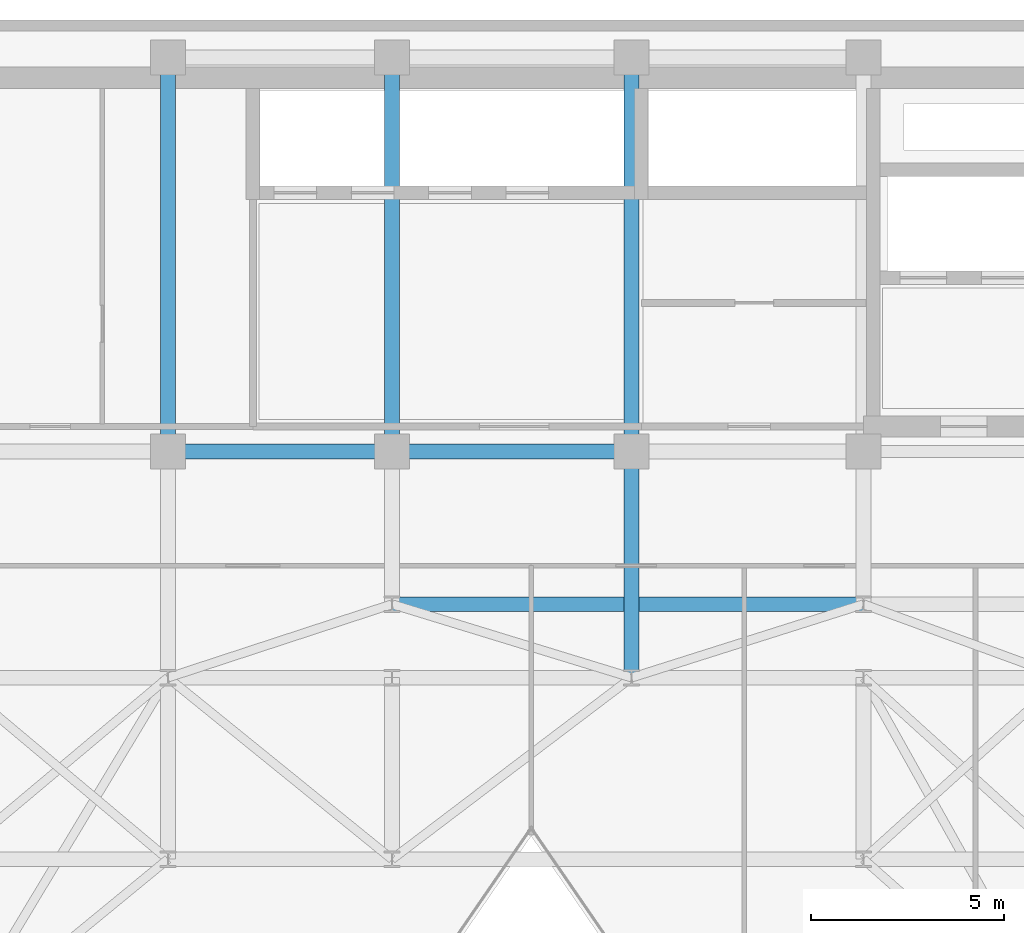
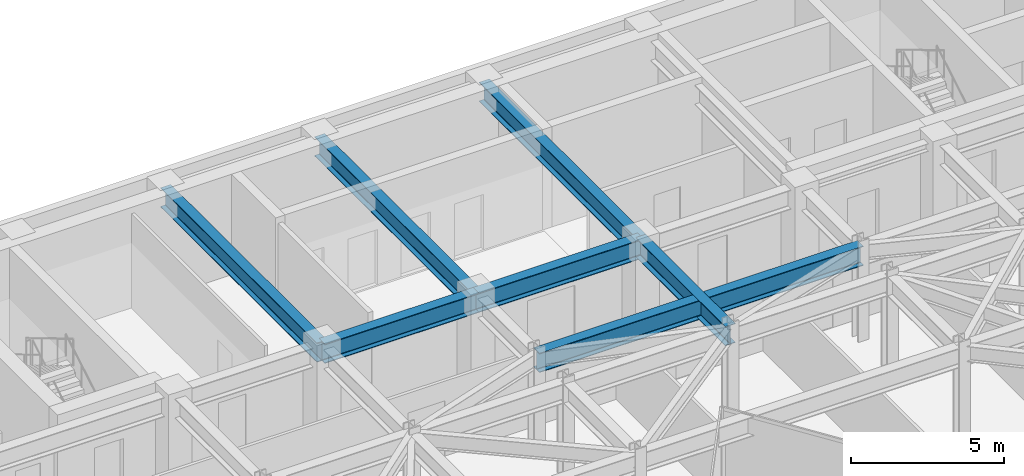
# One storey, part 9 of 21: 7 beams.
"""IFC4 building model written with IfcOpenShell, lengths in metres."""

from ifc_helpers import new_model, si_unit, direction, frame, origin, origin_2d, place, context, subcontext, project, spatial, i_section, extrude, material, material_profile, profile_set, type_object, element, save


model = new_model("IFC4")

# Units and contexts
model_context = context("Model", 3, precision=1e-05, world=origin(), true_north=direction((0.0, 1.0)))
body_context = subcontext(model_context, "Body", "Model", "MODEL_VIEW")
ifc_project = project(units=[si_unit("LENGTHUNIT", "METRE"), si_unit("AREAUNIT", "SQUARE_METRE"), si_unit("VOLUMEUNIT", "CUBIC_METRE"), si_unit("PLANEANGLEUNIT", "RADIAN"), si_unit("MASSUNIT", "GRAM", prefix="KILO")], contexts=[model_context])

# Site, building, storey
site_placement = place(None, origin())
site = spatial("IfcSite", under=ifc_project, at=site_placement, CompositionType="ELEMENT")
building_placement = place(site_placement, origin())
building = spatial("IfcBuilding", under=site, at=building_placement, Name="Kravanh Interchange Tower", CompositionType="ELEMENT")
storey_placement = place(building_placement, frame((0.0, 0.0, 176.5)))
storey = spatial("IfcBuildingStorey", under=building, at=storey_placement, Name="L42", CompositionType="ELEMENT", Elevation=176.5)

# Beams
ifc_material = material(Name="Structural Steel S355", Category="steel")
ifc_material_profile = material_profile(ifc_material, i_section(OverallWidth=0.381103515625, OverallDepth=0.77294921875, WebThickness=0.0166015625, FlangeThickness=0.027099609375, FilletRadius=0.02490234375, at=origin_2d()), Name="W30X173")
ifc_profile_set = profile_set([ifc_material_profile], Name="Structural Steel S355")
beam_type = type_object("IfcBeamType", Name="Floor Beam W30X173 Structural Steel S355", PredefinedType="BEAM", material=ifc_profile_set)
beam_1_placement = place(storey_placement, frame((44.800048828125, 37.35009765625, 3.368408203125), z_axis=(0.0, -1.0, 0.0), x_axis=(1.0, 0.0, 0.0)))
element("IfcBeam", 1, at=beam_1_placement, inside=storey, type_object=beam_type, Name="L42 Primary Floor Girder 12", PredefinedType="BEAM", context=body_context, shape_type="SweptSolid", body=[
    extrude(i_section(OverallWidth=0.381103515625, OverallDepth=0.77294921875, WebThickness=0.0166015625, FlangeThickness=0.027099609375, FilletRadius=0.02490234375, at=origin_2d()), origin(), (0.0, 0.0, 1.0), 5.85009765625),
])
beam_2_placement = place(storey_placement, frame((44.800048828125, 37.35009765625, 3.368408203125), z_axis=(-1.0, 0.0, 0.0), x_axis=(0.0, -1.0, 0.0)))
element("IfcBeam", 2, at=beam_2_placement, inside=storey, type_object=beam_type, Name="L42 Primary Floor Girder 13", PredefinedType="BEAM", context=body_context, shape_type="SweptSolid", body=[
    extrude(i_section(OverallWidth=0.381103515625, OverallDepth=0.77294921875, WebThickness=0.0166015625, FlangeThickness=0.027099609375, FilletRadius=0.02490234375, at=origin_2d()), origin(), (0.0, 0.0, 1.0), 6.199951171875),
])
beam_3_placement = place(storey_placement, frame((44.800048828125, 37.35009765625, 3.368408203125), z_axis=(0.0, 1.0, 0.0), x_axis=(-1.0, 0.0, 0.0)))
element("IfcBeam", 3, at=beam_3_placement, inside=storey, type_object=beam_type, Name="L42 Primary Floor Girder 14", PredefinedType="BEAM", context=body_context, shape_type="SweptSolid", body=[
    extrude(i_section(OverallWidth=0.381103515625, OverallDepth=0.77294921875, WebThickness=0.0166015625, FlangeThickness=0.027099609375, FilletRadius=0.02490234375, at=origin_2d()), origin(), (0.0, 0.0, 1.0), 10.199951171875),
])
beam_4_placement = place(storey_placement, frame((38.60009765625, 37.35009765625, 3.368408203125), z_axis=(-1.0, 0.0, 0.0), x_axis=(0.0, -1.0, 0.0)))
element("IfcBeam", 4, at=beam_4_placement, inside=storey, type_object=beam_type, Name="L42 Primary Floor Girder 17", PredefinedType="BEAM", context=body_context, shape_type="SweptSolid", body=[
    extrude(i_section(OverallWidth=0.381103515625, OverallDepth=0.77294921875, WebThickness=0.0166015625, FlangeThickness=0.027099609375, FilletRadius=0.02490234375, at=origin_2d()), origin(), (0.0, 0.0, 1.0), 5.800048828125),
])
for number, where, z_axis, x_axis, name in (
    (5, (38.60009765625, 37.35009765625, 3.368408203125), (0.0, 1.0, 0.0), (-1.0, 0.0, 0.0), "L42 Primary Floor Girder 18"),
    (6, (32.800048828125, 37.35009765625, 3.368408203125), (0.0, 1.0, 0.0), (-1.0, 0.0, 0.0), "L42 Primary Floor Girder 22"),
):
    element("IfcBeam", number, at=place(storey_placement, frame(where, z_axis=z_axis, x_axis=x_axis)), inside=storey, type_object=beam_type, Name=name, PredefinedType="BEAM", context=body_context, shape_type="SweptSolid", body=[
        extrude(i_section(OverallWidth=0.381103515625, OverallDepth=0.77294921875, WebThickness=0.0166015625, FlangeThickness=0.027099609375, FilletRadius=0.02490234375, at=origin_2d()), origin(), (0.0, 0.0, 1.0), 10.199951171875),
    ])
beam_5_placement = place(storey_placement, frame((38.60009765625, 33.39990234375, 3.368408203125), z_axis=(1.0, 0.0, 0.0), x_axis=(0.0, 1.0, 0.0)))
element("IfcBeam", 7, at=beam_5_placement, inside=storey, type_object=beam_type, Name="L42 Primary Floor Girder 94", PredefinedType="BEAM", context=body_context, shape_type="SweptSolid", body=[
    extrude(i_section(OverallWidth=0.381103515625, OverallDepth=0.77294921875, WebThickness=0.0166015625, FlangeThickness=0.027099609375, FilletRadius=0.02490234375, at=origin_2d()), origin(), (0.0, 0.0, 1.0), 12.199951171875),
])

save(model, "model.ifc")
